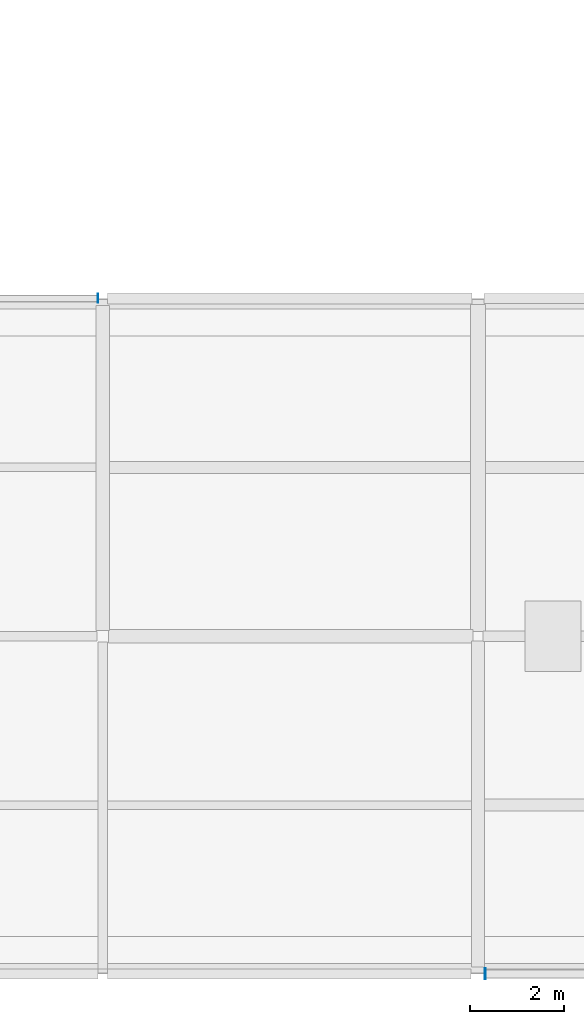
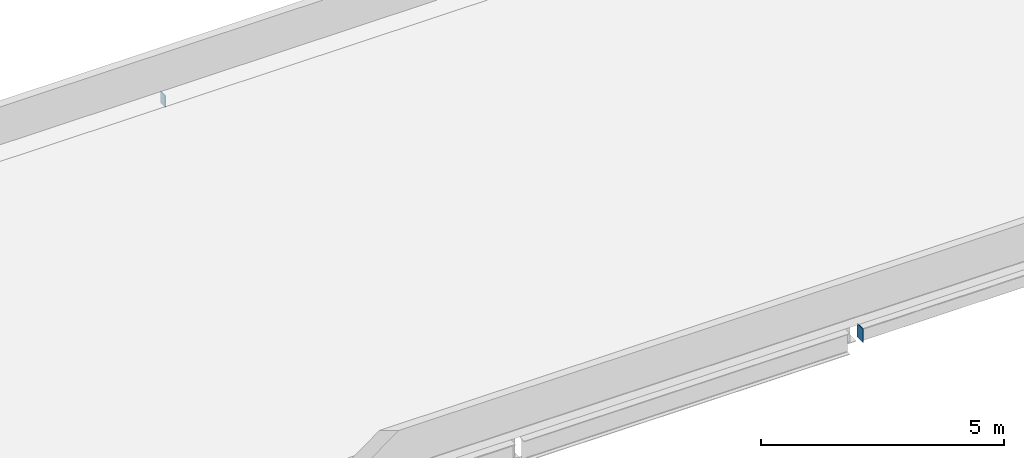
# One storey, part 114 of 153: 2 plates.
"""IFC4 building model written with IfcOpenShell, lengths in metres."""

from ifc_helpers import new_model, si_unit, direction, frame, origin, origin_2d, place, context, subcontext, project, spatial, rectangle, extrude, material, layer, layer_set, type_object, element, save


model = new_model("IFC4")

# Units and contexts
model_context = context("Model", 3, precision=1e-05, world=origin(), true_north=direction((0.0, 1.0)))
body_context = subcontext(model_context, "Body", "Model", "MODEL_VIEW")
ifc_project = project(units=[si_unit("LENGTHUNIT", "METRE"), si_unit("AREAUNIT", "SQUARE_METRE"), si_unit("VOLUMEUNIT", "CUBIC_METRE"), si_unit("PLANEANGLEUNIT", "RADIAN"), si_unit("MASSUNIT", "GRAM", prefix="KILO")], contexts=[model_context])

# Site, building, storey
site_placement = place(None, origin())
site = spatial("IfcSite", under=ifc_project, at=site_placement, CompositionType="ELEMENT")
building_placement = place(site_placement, origin())
building = spatial("IfcBuilding", under=site, at=building_placement, Name="Calvrana Isthmian Art Gallery", CompositionType="ELEMENT")
storey_placement = place(building_placement, frame((0.0, 0.0, 10.199951171875)))
storey = spatial("IfcBuildingStorey", under=building, at=storey_placement, Name="L02", CompositionType="ELEMENT", Elevation=10.199951171875)

# Plates
ifc_material = material(Name="Steel ASTM A572 Gr 50", Category="steel")
ifc_layer = layer(ifc_material, 0.01611328125, Name="Steel ASTM A572 Gr 50")
ifc_layer_set = layer_set([ifc_layer], Name="Steel ASTM A572 Gr 50")
plate_type = type_object("IfcPlateType", Name="PL-CAP-16", PredefinedType="SHEET", material=ifc_layer_set)
plate_1_placement = place(storey_placement, frame((96.552490234375, 0.0, -0.589599609375), z_axis=(0.0, 0.0, 1.0), x_axis=(1.0, 0.0, 0.0)))
element("IfcPlate", 1, at=plate_1_placement, inside=storey, type_object=plate_type, Name="Hollow section end cap plate 441", PredefinedType="SHEET", context=body_context, shape_type="SweptSolid", body=[
    extrude(rectangle(XDim=0.01611328125, YDim=0.2431640625, at=origin_2d()), origin(), (0.0, 0.0, 1.0), 0.3447265625),
])
plate_2_placement = place(storey_placement, frame((88.29833984375, 14.39990234375, -0.538818359375), z_axis=(0.0, 0.0, 1.0), x_axis=(1.0, 0.0, 0.0)))
element("IfcPlate", 2, at=plate_2_placement, inside=storey, type_object=plate_type, Name="Hollow section end cap plate 444", PredefinedType="SHEET", context=body_context, shape_type="SweptSolid", body=[
    extrude(rectangle(XDim=0.01611328125, YDim=0.1923828125, at=origin_2d()), origin(), (0.0, 0.0, 1.0), 0.2939453125),
])

save(model, "model.ifc")
